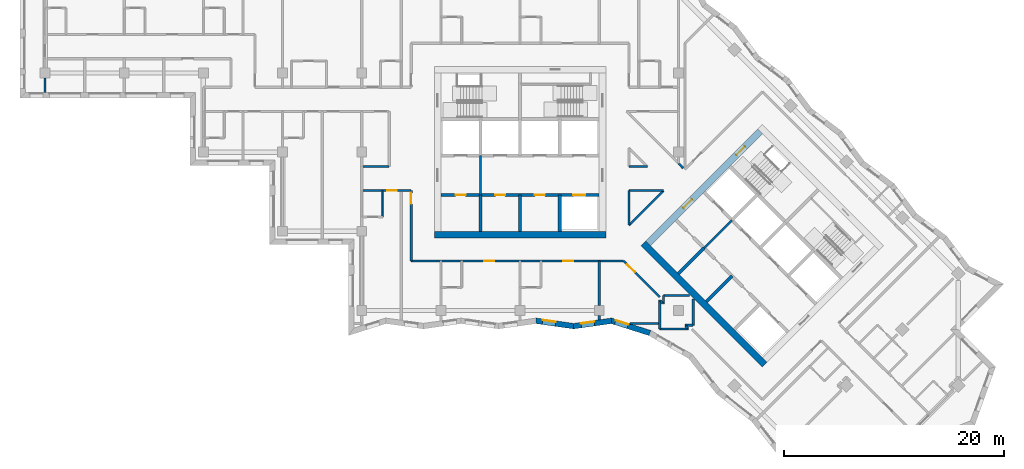
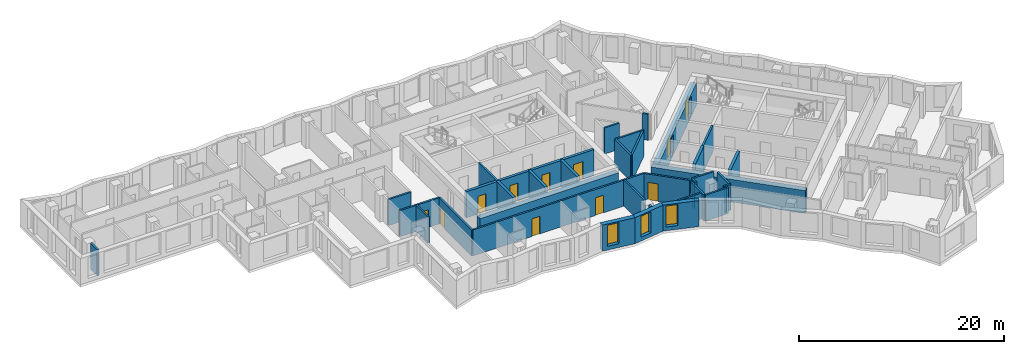
# One storey, part 3 of 12: 37 walls, 11 doors, 3 windows, 14 openings.
"""IFC4 building model written with IfcOpenShell, lengths in metres."""

from ifc_helpers import new_model, si_unit, direction, frame, frame_2d, origin, place, context, subcontext, project, spatial, polyline, rectangle, outline, extrude, material, layer, layer_set, type_object, element, fill, save


model = new_model("IFC4")

# Units and contexts
model_context = context("Model", 3, precision=1e-05, world=origin(), true_north=direction((0.0, 1.0)))
body_context = subcontext(model_context, "Body", "Model", "MODEL_VIEW")
ifc_project = project(units=[si_unit("LENGTHUNIT", "METRE"), si_unit("AREAUNIT", "SQUARE_METRE"), si_unit("VOLUMEUNIT", "CUBIC_METRE"), si_unit("PLANEANGLEUNIT", "RADIAN"), si_unit("MASSUNIT", "GRAM", prefix="KILO")], contexts=[model_context])

# Site, building, storey
site_placement = place(None, origin())
site = spatial("IfcSite", under=ifc_project, at=site_placement, CompositionType="ELEMENT")
building_placement = place(site_placement, origin())
building = spatial("IfcBuilding", under=site, at=building_placement, Name="Windrow Commons", CompositionType="ELEMENT")
storey_placement = place(building_placement, frame((0.0, 0.0, 155.8)))
storey = spatial("IfcBuildingStorey", under=building, at=storey_placement, Name="L42", CompositionType="ELEMENT", Elevation=155.8)

# Wall, opening, window
ifc_material_1 = material(Name="Brick masonry, red clay brick", Category="masonry")
ifc_layer_1 = layer(ifc_material_1, 0.5)
ifc_layer_set_1 = layer_set([ifc_layer_1], Name="Brick facade wall 500")
wall_type_1 = type_object("IfcWallType", Name="Brick facade wall 500", PredefinedType="SOLIDWALL", material=ifc_layer_set_1)
wall_1_placement = place(storey_placement, frame((66.2673, 42.2525, 0.0), z_axis=(0.0, 0.0, 1.0), x_axis=(0.9901773547, -0.1398170455, 0.0)))
wall_1 = element("IfcWall", 1, at=wall_1_placement, inside=storey, type_object=wall_type_1, Name="Brick facade wall L42 47", PredefinedType="SOLIDWALL", context=body_context, shape_type="SweptSolid", body=[
    extrude(outline(polyline([(0.0353, -0.25), (3.4826, -0.25), (3.412, 0.25), (-0.0353, 0.25), (0.0353, -0.25)])), origin(), (0.0, 0.0, 1.0), 3.1),
])
opening_1_placement = place(wall_1_placement, frame((0.5769, 0.0, 0.45)))
opening_1 = element("IfcOpeningElement", 2, at=opening_1_placement, cuts=wall_1, Name="Opening W7E", PredefinedType="OPENING", context=body_context, shape_type="SweptSolid", body=[
    extrude(rectangle(XDim=1.2, YDim=2.5, at=frame_2d((0.6, 1.25))), frame((0.0, 0.26, 0.0), z_axis=(0.0, -1.0, 0.0), x_axis=(1.0, 0.0, 0.0)), (0.0, 0.0, 1.0), 0.52),
])
ifc_material_2 = material(Name="Clear float glass in anodised aluminium frame", Category="aluminium")
window_type = type_object("IfcWindowType", Name="Window W7 notch 1200x2500", PartitioningType="SINGLE_PANEL", PredefinedType="WINDOW", material=ifc_material_2)
window_1_placement = place(opening_1_placement, origin())
window_1 = element("IfcWindow", 3, at=window_1_placement, inside=storey, type_object=window_type, Name="Window L42 47.1", OverallHeight=2.5, OverallWidth=1.2, PartitioningType="SINGLE_PANEL", PredefinedType="WINDOW", context=body_context, shape_type="SweptSolid", body=[
    extrude(rectangle(XDim=1.2, YDim=2.5, at=frame_2d((0.6, 1.25))), frame((0.0, 0.18, 0.0), z_axis=(0.0, -1.0, 0.0), x_axis=(1.0, 0.0, 0.0)), (0.0, 0.0, 1.0), 0.06),
])
fill(opening_1, window_1)

wall_2_placement = place(storey_placement, frame((69.6808, 41.7705, 0.0), z_axis=(0.0, 0.0, 1.0), x_axis=(0.9901776599, 0.1398148844, 0.0)))
wall_2 = element("IfcWall", 4, at=wall_2_placement, inside=storey, type_object=wall_type_1, Name="Brick facade wall L42 48", PredefinedType="SOLIDWALL", context=body_context, shape_type="SweptSolid", body=[
    extrude(outline(polyline([(-0.0353, -0.25), (3.412, -0.25), (3.5257, 0.25), (0.0353, 0.25), (-0.0353, -0.25)])), origin(), (0.0, 0.0, 1.0), 3.1),
])
opening_2_placement = place(wall_2_placement, frame((0.6888, 0.0, 0.45)))
opening_2 = element("IfcOpeningElement", 5, at=opening_2_placement, cuts=wall_2, Name="Opening W7E", PredefinedType="OPENING", context=body_context, shape_type="SweptSolid", body=[
    extrude(rectangle(XDim=1.2, YDim=2.5, at=frame_2d((0.6, 1.25))), frame((0.0, 0.26, 0.0), z_axis=(0.0, -1.0, 0.0), x_axis=(1.0, 0.0, 0.0)), (0.0, 0.0, 1.0), 0.52),
])
window_2_placement = place(opening_2_placement, origin())
window_2 = element("IfcWindow", 6, at=window_2_placement, inside=storey, type_object=window_type, Name="Window L42 48.1", OverallHeight=2.5, OverallWidth=1.2, PartitioningType="SINGLE_PANEL", PredefinedType="WINDOW", context=body_context, shape_type="SweptSolid", body=[
    extrude(rectangle(XDim=1.2, YDim=2.5, at=frame_2d((0.6, 1.25))), frame((0.0, 0.18, 0.0), z_axis=(0.0, -1.0, 0.0), x_axis=(1.0, 0.0, 0.0)), (0.0, 0.0, 1.0), 0.06),
])
fill(opening_2, window_2)

wall_3_placement = place(storey_placement, frame((73.1156, 42.2555, 0.0), z_axis=(0.0, 0.0, 1.0), x_axis=(0.9532588183, -0.3021549691, 0.0)))
wall_3 = element("IfcWall", 7, at=wall_3_placement, inside=storey, type_object=wall_type_1, Name="Brick facade wall L42 49", PredefinedType="SOLIDWALL", context=body_context, shape_type="SweptSolid", body=[
    extrude(outline(polyline([(0.0569, -0.25), (3.6377, -0.25), (3.6923, 0.25), (-0.0569, 0.25), (0.0569, -0.25)])), origin(), (0.0, 0.0, 1.0), 3.1),
])
opening_3_placement = place(wall_3_placement, frame((0.3531, 0.0, 0.45)))
opening_3 = element("IfcOpeningElement", 8, at=opening_3_placement, cuts=wall_3, Name="Opening W7E", PredefinedType="OPENING", context=body_context, shape_type="SweptSolid", body=[
    extrude(rectangle(XDim=1.2, YDim=2.5, at=frame_2d((0.6, 1.25))), frame((0.0, 0.26, 0.0), z_axis=(0.0, -1.0, 0.0), x_axis=(1.0, 0.0, 0.0)), (0.0, 0.0, 1.0), 0.52),
])
window_3_placement = place(opening_3_placement, origin())
window_3 = element("IfcWindow", 9, at=window_3_placement, inside=storey, type_object=window_type, Name="Window L42 49.1", OverallHeight=2.5, OverallWidth=1.2, PartitioningType="SINGLE_PANEL", PredefinedType="WINDOW", context=body_context, shape_type="SweptSolid", body=[
    extrude(rectangle(XDim=1.2, YDim=2.5, at=frame_2d((0.6, 1.25))), frame((0.0, 0.18, 0.0), z_axis=(0.0, -1.0, 0.0), x_axis=(1.0, 0.0, 0.0)), (0.0, 0.0, 1.0), 0.06),
])
fill(opening_3, window_3)

# Walls
ifc_material_3 = material(Name="Blockwork partition", Category="masonry")
ifc_layer_2 = layer(ifc_material_3, 0.2)
ifc_layer_set_2 = layer_set([ifc_layer_2], Name="Fire lobby partition 200")
wall_type_2 = type_object("IfcWallType", Name="Fire lobby partition 200", PredefinedType="PARTITIONING", material=ifc_layer_set_2)
for number, where, z_axis, x_axis, name in (
    (10, (61.2, 53.7, 0.0), (0.0, 0.0, 1.0), (0.0, 1.0, 0.0), "W-core-lobby-A-L42"),
    (11, (81.5335, 48.8776, 0.0), (0.0, 0.0, 1.0), (0.707092892, 0.7071206701, 0.0), "W-core-lobby-B-L42"),
):
    element("IfcWall", number, at=place(storey_placement, frame(where, z_axis=z_axis, x_axis=x_axis)), inside=storey, type_object=wall_type_2, Name=name, PredefinedType="PARTITIONING", context=body_context, shape_type="SweptSolid", body=[
        extrude(rectangle(XDim=3.6, YDim=0.2, at=frame_2d((1.8, 0.0))), origin(), (0.0, 0.0, 1.0), 3.1),
    ])

# Wall, openings, doors
ifc_material_4 = material(Name="Blockwork partition", Category="masonry")
ifc_layer_3 = layer(ifc_material_4, 0.2)
ifc_layer_set_3 = layer_set([ifc_layer_3], Name="IW-CORRIDOR-200")
wall_type_3 = type_object("IfcWallType", Name="IW-CORRIDOR-200", PredefinedType="PARTITIONING", material=ifc_layer_set_3)
wall_4_placement = place(storey_placement, frame((54.9, 47.7, 0.0), z_axis=(0.0, 0.0, 1.0), x_axis=(1.0, 0.0, 0.0)))
wall_4 = element("IfcWall", 12, at=wall_4_placement, inside=storey, type_object=wall_type_3, Name="W-L42-W001", PredefinedType="PARTITIONING", context=body_context, shape_type="SweptSolid", body=[
    extrude(rectangle(XDim=19.326, YDim=0.2, at=frame_2d((9.663, 0.0))), origin(), (0.0, 0.0, 1.0), 3.1),
])
opening_4_placement = place(wall_4_placement, frame((6.6434, 0.0, 0.0)))
opening_4 = element("IfcOpeningElement", 13, at=opening_4_placement, cuts=wall_4, Name="Opening D109F", PredefinedType="OPENING", context=body_context, shape_type="SweptSolid", body=[
    extrude(rectangle(XDim=0.9, YDim=2.1, at=frame_2d((0.45, 1.05))), frame((0.0, 0.11, 0.0), z_axis=(0.0, -1.0, 0.0), x_axis=(1.0, 0.0, 0.0)), (0.0, 0.0, 1.0), 0.22),
])
opening_5_placement = place(wall_4_placement, frame((13.8434, 0.0, 0.0)))
opening_5 = element("IfcOpeningElement", 14, at=opening_5_placement, cuts=wall_4, Name="Opening D109F", PredefinedType="OPENING", context=body_context, shape_type="SweptSolid", body=[
    extrude(rectangle(XDim=0.9, YDim=2.1, at=frame_2d((0.45, 1.05))), frame((0.0, 0.11, 0.0), z_axis=(0.0, -1.0, 0.0), x_axis=(1.0, 0.0, 0.0)), (0.0, 0.0, 1.0), 0.22),
])
ifc_material_5 = material(Name="Timber door leaf", Category="wood")
door_type_1 = type_object("IfcDoorType", Name="DT-BEDROOM-900", OperationType="SINGLE_SWING_LEFT", PredefinedType="DOOR", material=ifc_material_5)
door_1_placement = place(opening_4_placement, origin())
door_1 = element("IfcDoor", 15, at=door_1_placement, inside=storey, type_object=door_type_1, Name="D-L42-D031", OperationType="SINGLE_SWING_LEFT", OverallHeight=2.1, OverallWidth=0.9, PredefinedType="DOOR", context=body_context, shape_type="SweptSolid", body=[
    extrude(rectangle(XDim=0.9, YDim=2.1, at=frame_2d((0.45, 1.05))), frame((0.0, 0.025, 0.0), z_axis=(0.0, -1.0, 0.0), x_axis=(1.0, 0.0, 0.0)), (0.0, 0.0, 1.0), 0.05),
])
fill(opening_4, door_1)
door_2_placement = place(opening_5_placement, origin())
door_2 = element("IfcDoor", 16, at=door_2_placement, inside=storey, type_object=door_type_1, Name="D-L42-D033", OperationType="SINGLE_SWING_LEFT", OverallHeight=2.1, OverallWidth=0.9, PredefinedType="DOOR", context=body_context, shape_type="SweptSolid", body=[
    extrude(rectangle(XDim=0.9, YDim=2.1, at=frame_2d((0.45, 1.05))), frame((0.0, 0.025, 0.0), z_axis=(0.0, -1.0, 0.0), x_axis=(1.0, 0.0, 0.0)), (0.0, 0.0, 1.0), 0.05),
])
fill(opening_5, door_2)

# Wall, opening, door
wall_5_placement = place(storey_placement, frame((54.9, 47.7, 0.0), z_axis=(0.0, 0.0, 1.0), x_axis=(0.0, 1.0, 0.0)))
wall_5 = element("IfcWall", 17, at=wall_5_placement, inside=storey, type_object=wall_type_3, Name="W-L42-W020", PredefinedType="PARTITIONING", context=body_context, shape_type="SweptSolid", body=[
    extrude(rectangle(XDim=6.4, YDim=0.2, at=frame_2d((3.2, 0.0))), origin(), (0.0, 0.0, 1.0), 3.1),
])
opening_6_placement = place(wall_5_placement, frame((5.1985, 0.0, 0.0)))
opening_6 = element("IfcOpeningElement", 18, at=opening_6_placement, cuts=wall_5, Name="Opening D310F", PredefinedType="OPENING", context=body_context, shape_type="SweptSolid", body=[
    extrude(rectangle(XDim=1.0, YDim=2.1, at=frame_2d((0.5, 1.05))), frame((0.0, 0.11, 0.0), z_axis=(0.0, -1.0, 0.0), x_axis=(1.0, 0.0, 0.0)), (0.0, 0.0, 1.0), 0.22),
])
ifc_material_6 = material(Name="Timber door leaf", Category="wood")
door_type_2 = type_object("IfcDoorType", Name="DT-AMENITY-1000", OperationType="SINGLE_SWING_LEFT", PredefinedType="DOOR", material=ifc_material_6)
door_3_placement = place(opening_6_placement, origin())
door_3 = element("IfcDoor", 19, at=door_3_placement, inside=storey, type_object=door_type_2, Name="D-L42-D028", OperationType="SINGLE_SWING_RIGHT", OverallHeight=2.1, OverallWidth=1.0, PredefinedType="DOOR", context=body_context, shape_type="SweptSolid", body=[
    extrude(rectangle(XDim=1.0, YDim=2.1, at=frame_2d((0.5, 1.05))), frame((0.0, 0.025, 0.0), z_axis=(0.0, -1.0, 0.0), x_axis=(1.0, 0.0, 0.0)), (0.0, 0.0, 1.0), 0.05),
])
fill(opening_6, door_3)

wall_6_placement = place(storey_placement, frame((74.2227, 47.6967, 0.0), z_axis=(0.0, 0.0, 1.0), x_axis=(0.7071067812, -0.7071067812, 0.0)))
wall_6 = element("IfcWall", 20, at=wall_6_placement, inside=storey, type_object=wall_type_3, Name="W-L42-W034", PredefinedType="PARTITIONING", context=body_context, shape_type="SweptSolid", body=[
    extrude(rectangle(XDim=4.6301, YDim=0.2, at=frame_2d((2.315, 0.0))), origin(), (0.0, 0.0, 1.0), 3.1),
])
opening_7_placement = place(wall_6_placement, frame((0.4345, 0.0, 0.0)))
opening_7 = element("IfcOpeningElement", 21, at=opening_7_placement, cuts=wall_6, Name="Opening D310F", PredefinedType="OPENING", context=body_context, shape_type="SweptSolid", body=[
    extrude(rectangle(XDim=1.0, YDim=2.1, at=frame_2d((0.5, 1.05))), frame((0.0, 0.11, 0.0), z_axis=(0.0, -1.0, 0.0), x_axis=(1.0, 0.0, 0.0)), (0.0, 0.0, 1.0), 0.22),
])
door_4_placement = place(opening_7_placement, origin())
door_4 = element("IfcDoor", 22, at=door_4_placement, inside=storey, type_object=door_type_2, Name="D-L42-D035", OperationType="SINGLE_SWING_LEFT", OverallHeight=2.1, OverallWidth=1.0, PredefinedType="DOOR", context=body_context, shape_type="SweptSolid", body=[
    extrude(rectangle(XDim=1.0, YDim=2.1, at=frame_2d((0.5, 1.05))), frame((0.0, 0.025, 0.0), z_axis=(0.0, -1.0, 0.0), x_axis=(1.0, 0.0, 0.0)), (0.0, 0.0, 1.0), 0.05),
])
fill(opening_7, door_4)

wall_7_placement = place(storey_placement, frame((50.4, 54.1, 0.0), z_axis=(0.0, 0.0, 1.0), x_axis=(1.0, 0.0, 0.0)))
wall_7 = element("IfcWall", 23, at=wall_7_placement, inside=storey, type_object=wall_type_3, Name="W-L42-W036", PredefinedType="PARTITIONING", context=body_context, shape_type="SweptSolid", body=[
    extrude(rectangle(XDim=4.5, YDim=0.2, at=frame_2d((2.25, 0.0))), origin(), (0.0, 0.0, 1.0), 3.1),
])
opening_8_placement = place(wall_7_placement, frame((2.3, 0.0, 0.0)))
opening_8 = element("IfcOpeningElement", 24, at=opening_8_placement, cuts=wall_7, Name="Opening D109S", PredefinedType="OPENING", context=body_context, shape_type="SweptSolid", body=[
    extrude(rectangle(XDim=0.9, YDim=2.1, at=frame_2d((0.45, 1.05))), frame((0.0, 0.11, 0.0), z_axis=(0.0, -1.0, 0.0), x_axis=(1.0, 0.0, 0.0)), (0.0, 0.0, 1.0), 0.22),
])
door_5_placement = place(opening_8_placement, origin())
door_5 = element("IfcDoor", 25, at=door_5_placement, inside=storey, type_object=door_type_1, Name="D-L42-D026", OperationType="SINGLE_SWING_LEFT", OverallHeight=2.1, OverallWidth=0.9, PredefinedType="DOOR", context=body_context, shape_type="SweptSolid", body=[
    extrude(rectangle(XDim=0.9, YDim=2.1, at=frame_2d((0.45, 1.05))), frame((0.0, 0.025, 0.0), z_axis=(0.0, -1.0, 0.0), x_axis=(1.0, 0.0, 0.0)), (0.0, 0.0, 1.0), 0.05),
])
fill(opening_8, door_5)

# Walls
wall_8_placement = place(storey_placement, frame((74.7013, 50.9567, 0.0), z_axis=(0.0, 0.0, 1.0), x_axis=(0.7071067812, 0.7071067812, 0.0)))
element("IfcWall", 26, at=wall_8_placement, inside=storey, type_object=wall_type_3, Name="W-L42-W038", PredefinedType="PARTITIONING", context=body_context, shape_type="SweptSolid", body=[
    extrude(rectangle(XDim=4.4435, YDim=0.2, at=frame_2d((2.2218, 0.0))), origin(), (0.0, 0.0, 1.0), 3.1),
])
wall_9_placement = place(storey_placement, frame((74.7, 50.956, 0.0), z_axis=(0.0, 0.0, 1.0), x_axis=(0.0, 1.0, 0.0)))
element("IfcWall", 27, at=wall_9_placement, inside=storey, type_object=wall_type_3, Name="W-L42-W050", PredefinedType="PARTITIONING", context=body_context, shape_type="SweptSolid", body=[
    extrude(rectangle(XDim=3.144, YDim=0.2, at=frame_2d((1.572, 0.0))), origin(), (0.0, 0.0, 1.0), 3.1),
])
wall_10_placement = place(storey_placement, frame((74.702, 54.1, 0.0), z_axis=(0.0, 0.0, 1.0), x_axis=(1.0, 0.0, 0.0)))
element("IfcWall", 28, at=wall_10_placement, inside=storey, type_object=wall_type_3, Name="W-L42-W051", PredefinedType="PARTITIONING", context=body_context, shape_type="SweptSolid", body=[
    extrude(rectangle(XDim=3.142, YDim=0.2, at=frame_2d((1.571, 0.0))), origin(), (0.0, 0.0, 1.0), 3.1),
])
wall_11_placement = place(storey_placement, frame((50.4, 56.3, 0.0), z_axis=(0.0, 0.0, 1.0), x_axis=(1.0, 0.0, 0.0)))
element("IfcWall", 29, at=wall_11_placement, inside=storey, type_object=wall_type_3, Name="W-L42-W066", PredefinedType="PARTITIONING", context=body_context, shape_type="SweptSolid", body=[
    extrude(rectangle(XDim=2.5, YDim=0.2, at=frame_2d((1.25, 0.0))), origin(), (0.0, 0.0, 1.0), 3.1),
])
for number, where, z_axis, x_axis, name in (
    (30, (80.55, 41.852, 0.0), (0.0, 0.0, 1.0), (0.0, 1.0, 0.0), "W-L42-W102"),
    (31, (77.852, 44.55, 0.0), (0.0, 0.0, 1.0), (1.0, 0.0, 0.0), "W-L42-W103"),
):
    element("IfcWall", number, at=place(storey_placement, frame(where, z_axis=z_axis, x_axis=x_axis)), inside=storey, type_object=wall_type_3, Name=name, PredefinedType="PARTITIONING", context=body_context, shape_type="SweptSolid", body=[
        extrude(rectangle(XDim=2.38, YDim=0.2, at=frame_2d((1.19, 0.0))), origin(), (0.0, 0.0, 1.0), 3.1),
    ])
wall_12_placement = place(storey_placement, frame((74.702, 56.3, 0.0), z_axis=(0.0, 0.0, 1.0), x_axis=(1.0, 0.0, 0.0)))
element("IfcWall", 32, at=wall_12_placement, inside=storey, type_object=wall_type_3, Name="W-L42-W130", PredefinedType="PARTITIONING", context=body_context, shape_type="SweptSolid", body=[
    extrude(rectangle(XDim=1.67, YDim=0.2, at=frame_2d((0.835, 0.0))), origin(), (0.0, 0.0, 1.0), 3.1),
])
for number, where, z_axis, x_axis, name in (
    (33, (77.85, 43.792, 0.0), (0.0, 0.0, 1.0), (0.0, 1.0, 0.0), "W-L42-W152"),
    (34, (79.792, 41.85, 0.0), (0.0, 0.0, 1.0), (1.0, 0.0, 0.0), "W-L42-W153"),
):
    element("IfcWall", number, at=place(storey_placement, frame(where, z_axis=z_axis, x_axis=x_axis)), inside=storey, type_object=wall_type_3, Name=name, PredefinedType="PARTITIONING", context=body_context, shape_type="SweptSolid", body=[
        extrude(rectangle(XDim=0.758, YDim=0.2, at=frame_2d((0.379, 0.0))), origin(), (0.0, 0.0, 1.0), 3.1),
    ])
wall_13_placement = place(storey_placement, frame((79.1982, 56.5842, 0.0), z_axis=(0.0, 0.0, 1.0), x_axis=(0.7054410477, -0.7087685999, 0.0)))
element("IfcWall", 35, at=wall_13_placement, inside=storey, type_object=wall_type_3, Name="W-L42-W164", PredefinedType="PARTITIONING", context=body_context, shape_type="SweptSolid", body=[
    extrude(rectangle(XDim=0.601, YDim=0.2, at=frame_2d((0.3005, 0.0))), origin(), (0.0, 0.0, 1.0), 3.1),
])
for number, where, z_axis, x_axis, name in (
    (36, (79.8812, 41.7553, 0.0), (0.0, 0.0, 1.0), (0.7071067812, -0.7071067812, 0.0), "W-L42-W173"),
    (37, (77.5962, 44.0403, 0.0), (0.0, 0.0, 1.0), (0.7071067812, -0.7071067812, 0.0), "W-L42-W174"),
):
    element("IfcWall", number, at=place(storey_placement, frame(where, z_axis=z_axis, x_axis=x_axis)), inside=storey, type_object=wall_type_3, Name=name, PredefinedType="PARTITIONING", context=body_context, shape_type="SweptSolid", body=[
        extrude(rectangle(XDim=0.225, YDim=0.2, at=frame_2d((0.1125, 0.0))), origin(), (0.0, 0.0, 1.0), 3.1),
    ])
ifc_material_7 = material(Name="Blockwork partition", Category="masonry")
ifc_layer_4 = layer(ifc_material_7, 0.15)
ifc_layer_set_4 = layer_set([ifc_layer_4], Name="IW-ENSUITE-150")
wall_type_4 = type_object("IfcWallType", Name="IW-ENSUITE-150", PredefinedType="PARTITIONING", material=ifc_layer_set_4)
wall_14_placement = place(storey_placement, frame((52.3, 51.7, 0.0), z_axis=(0.0, 0.0, 1.0), x_axis=(0.0, 1.0, 0.0)))
element("IfcWall", 38, at=wall_14_placement, inside=storey, type_object=wall_type_4, Name="W-L42-W095", PredefinedType="PARTITIONING", context=body_context, shape_type="SweptSolid", body=[
    extrude(rectangle(XDim=2.4, YDim=0.15, at=frame_2d((1.2, 0.0))), origin(), (0.0, 0.0, 1.0), 3.1),
])
ifc_material_8 = material(Name="Blockwork partition", Category="masonry")
ifc_layer_5 = layer(ifc_material_8, 0.2)
ifc_layer_set_5 = layer_set([ifc_layer_5], Name="IW-PARTY-200")
wall_type_5 = type_object("IfcWallType", Name="IW-PARTY-200", PredefinedType="PARTITIONING", material=ifc_layer_set_5)
wall_15_placement = place(storey_placement, frame((72.0, 43.65, 0.0), z_axis=(0.0, 0.0, 1.0), x_axis=(0.0, 1.0, 0.0)))
element("IfcWall", 39, at=wall_15_placement, inside=storey, type_object=wall_type_5, Name="W-L42-W040", PredefinedType="PARTITIONING", context=body_context, shape_type="SweptSolid", body=[
    extrude(rectangle(XDim=4.05, YDim=0.2, at=frame_2d((2.025, 0.0))), origin(), (0.0, 0.0, 1.0), 3.1),
])
wall_16_placement = place(storey_placement, frame((74.799, 42.0, 0.0), z_axis=(0.0, 0.0, 1.0), x_axis=(1.0, 0.0, 0.0)))
element("IfcWall", 40, at=wall_16_placement, inside=storey, type_object=wall_type_5, Name="W-L42-W062", PredefinedType="PARTITIONING", context=body_context, shape_type="SweptSolid", body=[
    extrude(rectangle(XDim=2.701, YDim=0.2, at=frame_2d((1.3505, 0.0))), origin(), (0.0, 0.0, 1.0), 3.1),
])
for number, where, z_axis, x_axis, name in (
    (41, (77.5, 41.502, 0.0), (0.0, 0.0, 1.0), (0.0, 1.0, 0.0), "W-L42-W063"),
    (42, (77.502, 41.5, 0.0), (0.0, 0.0, 1.0), (1.0, 0.0, 0.0), "W-L42-W064"),
):
    element("IfcWall", number, at=place(storey_placement, frame(where, z_axis=z_axis, x_axis=x_axis)), inside=storey, type_object=wall_type_5, Name=name, PredefinedType="PARTITIONING", context=body_context, shape_type="SweptSolid", body=[
        extrude(rectangle(XDim=2.64, YDim=0.2, at=frame_2d((1.32, 0.0))), origin(), (0.0, 0.0, 1.0), 3.1),
    ])
wall_17_placement = place(storey_placement, frame((21.6, 63.018, 0.0), z_axis=(0.0, 0.0, 1.0), x_axis=(0.0, 1.0, 0.0)))
element("IfcWall", 43, at=wall_17_placement, inside=storey, type_object=wall_type_5, Name="W-L42-W136", PredefinedType="PARTITIONING", context=body_context, shape_type="SweptSolid", body=[
    extrude(rectangle(XDim=1.332, YDim=0.2, at=frame_2d((0.666, 0.0))), origin(), (0.0, 0.0, 1.0), 3.1),
])
wall_18_placement = place(storey_placement, frame((72.0, 42.3504, 0.0), z_axis=(0.0, 0.0, 1.0), x_axis=(0.0, 1.0, 0.0)))
element("IfcWall", 44, at=wall_18_placement, inside=storey, type_object=wall_type_5, Name="W-L42-W200", PredefinedType="PARTITIONING", context=body_context, shape_type="SweptSolid", body=[
    extrude(rectangle(XDim=0.3996, YDim=0.2, at=frame_2d((0.1998, 0.0))), origin(), (0.0, 0.0, 1.0), 3.1),
])
ifc_material_9 = material(Name="Concrete C50/60", Category="concrete")
ifc_layer_6 = layer(ifc_material_9, 0.6)
ifc_layer_set_6 = layer_set([ifc_layer_6], Name="RC CORE WALL 600 C50/60")
wall_type_6 = type_object("IfcWallType", Name="RC CORE WALL 600 C50/60", PredefinedType="SHEAR", material=ifc_layer_set_6)
for number, where, z_axis, x_axis, name in (
    (45, (57.0, 50.1, -0.3), (0.0, 0.0, 1.0), (1.0, 0.0, 0.0), "Core A wall outer-S"),
    (46, (76.018, 49.3019, -0.3), (0.0, 0.0, 1.0), (0.7071067812, -0.7071067812, 0.0), "Core B wall outer-S"),
):
    element("IfcWall", number, at=place(storey_placement, frame(where, z_axis=z_axis, x_axis=x_axis)), inside=storey, type_object=wall_type_6, Name=name, PredefinedType="SHEAR", context=body_context, shape_type="SweptSolid", body=[
        extrude(rectangle(XDim=15.6, YDim=0.6, at=frame_2d((7.8, 0.0))), origin(), (0.0, 0.0, 1.0), 2.7),
    ])

# Wall, openings, doors
wall_19_placement = place(storey_placement, frame((76.4423, 49.3019, -0.3), z_axis=(0.0, 0.0, 1.0), x_axis=(0.7071067812, 0.7071067812, 0.0)))
wall_19 = element("IfcWall", 47, at=wall_19_placement, inside=storey, type_object=wall_type_6, Name="Core B wall outer-W", PredefinedType="SHEAR", context=body_context, shape_type="SweptSolid", body=[
    extrude(rectangle(XDim=14.3999, YDim=0.6, at=frame_2d((7.2, 0.0))), origin(), (0.0, 0.0, 1.0), 2.7),
])
opening_9_placement = place(wall_19_placement, frame((4.55, 0.0, 0.3)))
opening_9 = element("IfcOpeningElement", 48, at=opening_9_placement, cuts=wall_19, Name="Opening D6", PredefinedType="OPENING", context=body_context, shape_type="SweptSolid", body=[
    extrude(rectangle(XDim=1.1, YDim=2.1, at=frame_2d((0.55, 1.05))), frame((0.0, 0.31, 0.0), z_axis=(0.0, -1.0, 0.0), x_axis=(1.0, 0.0, 0.0)), (0.0, 0.0, 1.0), 0.62),
])
opening_10_placement = place(wall_19_placement, frame((11.35, 0.0, 0.3)))
opening_10 = element("IfcOpeningElement", 49, at=opening_10_placement, cuts=wall_19, Name="Opening D7", PredefinedType="OPENING", context=body_context, shape_type="SweptSolid", body=[
    extrude(rectangle(XDim=1.1, YDim=2.1, at=frame_2d((0.55, 1.05))), frame((0.0, 0.31, 0.0), z_axis=(0.0, -1.0, 0.0), x_axis=(1.0, 0.0, 0.0)), (0.0, 0.0, 1.0), 0.62),
])
ifc_material_10 = material(Name="Steel fire door leaf", Category="steel")
door_type_3 = type_object("IfcDoorType", Name="Core lobby door 1100", OperationType="SINGLE_SWING_LEFT", PredefinedType="DOOR", material=ifc_material_10)
door_6_placement = place(opening_9_placement, origin())
door_6 = element("IfcDoor", 50, at=door_6_placement, inside=storey, type_object=door_type_3, Name="Lift lobby door", OperationType="DOUBLE_DOOR_SINGLE_SWING", OverallHeight=2.1, OverallWidth=1.1, PredefinedType="DOOR", context=body_context, shape_type="SweptSolid", body=[
    extrude(rectangle(XDim=1.1, YDim=2.1, at=frame_2d((0.55, 1.05))), frame((0.0, 0.025, 0.0), z_axis=(0.0, -1.0, 0.0), x_axis=(1.0, 0.0, 0.0)), (0.0, 0.0, 1.0), 0.05),
])
fill(opening_9, door_6)
ifc_material_11 = material(Name="Steel fire door leaf", Category="steel")
door_type_4 = type_object("IfcDoorType", Name="Stair door 1100", OperationType="SINGLE_SWING_LEFT", PredefinedType="DOOR", material=ifc_material_11)
door_7_placement = place(opening_10_placement, origin())
door_7 = element("IfcDoor", 51, at=door_7_placement, inside=storey, type_object=door_type_4, Name="Stair door", OperationType="SINGLE_SWING_LEFT", OverallHeight=2.1, OverallWidth=1.1, PredefinedType="DOOR", context=body_context, shape_type="SweptSolid", body=[
    extrude(rectangle(XDim=1.1, YDim=2.1, at=frame_2d((0.55, 1.05))), frame((0.0, 0.025, 0.0), z_axis=(0.0, -1.0, 0.0), x_axis=(1.0, 0.0, 0.0)), (0.0, 0.0, 1.0), 0.05),
])
fill(opening_10, door_7)

# Walls
ifc_material_12 = material(Name="Concrete C50/60", Category="concrete")
ifc_layer_7 = layer(ifc_material_12, 0.3)
ifc_layer_set_7 = layer_set([ifc_layer_7], Name="RC SHAFT WALL 300 C50/60")
wall_type_7 = type_object("IfcWallType", Name="RC SHAFT WALL 300 C50/60", PredefinedType="SOLIDWALL", material=ifc_layer_set_7)
for number, where, z_axis, x_axis, name in (
    (52, (61.2, 50.4, 0.0), (0.0, 0.0, 1.0), (0.0, 1.0, 0.0), "Core A wall shaft-S1"),
    (53, (64.8, 50.4, 0.0), (0.0, 0.0, 1.0), (0.0, 1.0, 0.0), "Core A wall shaft-S2"),
    (54, (68.4, 50.4, 0.0), (0.0, 0.0, 1.0), (0.0, 1.0, 0.0), "Core A wall shaft-S3"),
):
    element("IfcWall", number, at=place(storey_placement, frame(where, z_axis=z_axis, x_axis=x_axis)), inside=storey, type_object=wall_type_7, Name=name, PredefinedType="SOLIDWALL", context=body_context, shape_type="SweptSolid", body=[
        extrude(rectangle(XDim=3.3, YDim=0.3, at=frame_2d((1.65, 0.0))), origin(), (0.0, 0.0, 1.0), 3.1),
    ])

# Wall, openings, doors
wall_20_placement = place(storey_placement, frame((57.6, 53.7, 0.0), z_axis=(0.0, 0.0, 1.0), x_axis=(1.0, 0.0, 0.0)))
wall_20 = element("IfcWall", 55, at=wall_20_placement, inside=storey, type_object=wall_type_7, Name="Core A wall lobby-S", PredefinedType="SOLIDWALL", context=body_context, shape_type="SweptSolid", body=[
    extrude(rectangle(XDim=14.4, YDim=0.3, at=frame_2d((7.2, 0.0))), origin(), (0.0, 0.0, 1.0), 3.1),
])
opening_11_placement = place(wall_20_placement, frame((1.35, 0.0, 0.0)))
opening_11 = element("IfcOpeningElement", 56, at=opening_11_placement, cuts=wall_20, Name="Opening D8", PredefinedType="OPENING", context=body_context, shape_type="SweptSolid", body=[
    extrude(rectangle(XDim=0.9, YDim=2.1, at=frame_2d((0.45, 1.05))), frame((0.0, 0.16, 0.0), z_axis=(0.0, -1.0, 0.0), x_axis=(1.0, 0.0, 0.0)), (0.0, 0.0, 1.0), 0.32),
])
opening_12_placement = place(wall_20_placement, frame((4.95, 0.0, 0.0)))
opening_12 = element("IfcOpeningElement", 57, at=opening_12_placement, cuts=wall_20, Name="Opening D8", PredefinedType="OPENING", context=body_context, shape_type="SweptSolid", body=[
    extrude(rectangle(XDim=0.9, YDim=2.1, at=frame_2d((0.45, 1.05))), frame((0.0, 0.16, 0.0), z_axis=(0.0, -1.0, 0.0), x_axis=(1.0, 0.0, 0.0)), (0.0, 0.0, 1.0), 0.32),
])
opening_13_placement = place(wall_20_placement, frame((8.55, 0.0, 0.0)))
opening_13 = element("IfcOpeningElement", 58, at=opening_13_placement, cuts=wall_20, Name="Opening D8", PredefinedType="OPENING", context=body_context, shape_type="SweptSolid", body=[
    extrude(rectangle(XDim=0.9, YDim=2.1, at=frame_2d((0.45, 1.05))), frame((0.0, 0.16, 0.0), z_axis=(0.0, -1.0, 0.0), x_axis=(1.0, 0.0, 0.0)), (0.0, 0.0, 1.0), 0.32),
])
opening_14_placement = place(wall_20_placement, frame((12.05, 0.0, 0.0)))
opening_14 = element("IfcOpeningElement", 59, at=opening_14_placement, cuts=wall_20, Name="Opening LD", PredefinedType="OPENING", context=body_context, shape_type="SweptSolid", body=[
    extrude(rectangle(XDim=1.1, YDim=2.1, at=frame_2d((0.55, 1.05))), frame((0.0, 0.16, 0.0), z_axis=(0.0, -1.0, 0.0), x_axis=(1.0, 0.0, 0.0)), (0.0, 0.0, 1.0), 0.32),
])
ifc_material_13 = material(Name="Steel fire door leaf", Category="steel")
door_type_5 = type_object("IfcDoorType", Name="Core store door 900", OperationType="SINGLE_SWING_LEFT", PredefinedType="DOOR", material=ifc_material_13)
door_8_placement = place(opening_11_placement, origin())
door_8 = element("IfcDoor", 60, at=door_8_placement, inside=storey, type_object=door_type_5, Name="Store door", OperationType="SINGLE_SWING_LEFT", OverallHeight=2.1, OverallWidth=0.9, PredefinedType="DOOR", context=body_context, shape_type="SweptSolid", body=[
    extrude(rectangle(XDim=0.9, YDim=2.1, at=frame_2d((0.45, 1.05))), frame((0.0, 0.025, 0.0), z_axis=(0.0, -1.0, 0.0), x_axis=(1.0, 0.0, 0.0)), (0.0, 0.0, 1.0), 0.05),
])
fill(opening_11, door_8)
door_9_placement = place(opening_12_placement, origin())
door_9 = element("IfcDoor", 61, at=door_9_placement, inside=storey, type_object=door_type_5, Name="Store door", OperationType="SINGLE_SWING_LEFT", OverallHeight=2.1, OverallWidth=0.9, PredefinedType="DOOR", context=body_context, shape_type="SweptSolid", body=[
    extrude(rectangle(XDim=0.9, YDim=2.1, at=frame_2d((0.45, 1.05))), frame((0.0, 0.025, 0.0), z_axis=(0.0, -1.0, 0.0), x_axis=(1.0, 0.0, 0.0)), (0.0, 0.0, 1.0), 0.05),
])
fill(opening_12, door_9)
door_10_placement = place(opening_13_placement, origin())
door_10 = element("IfcDoor", 62, at=door_10_placement, inside=storey, type_object=door_type_5, Name="Store door", OperationType="SINGLE_SWING_LEFT", OverallHeight=2.1, OverallWidth=0.9, PredefinedType="DOOR", context=body_context, shape_type="SweptSolid", body=[
    extrude(rectangle(XDim=0.9, YDim=2.1, at=frame_2d((0.45, 1.05))), frame((0.0, 0.025, 0.0), z_axis=(0.0, -1.0, 0.0), x_axis=(1.0, 0.0, 0.0)), (0.0, 0.0, 1.0), 0.05),
])
fill(opening_13, door_10)
ifc_material_14 = material(Name="Stainless steel door leaf", Category="steel")
door_type_6 = type_object("IfcDoorType", Name="Lift landing door 1100", OperationType="SLIDING_TO_LEFT", PredefinedType="DOOR", material=ifc_material_14)
door_11_placement = place(opening_14_placement, origin())
door_11 = element("IfcDoor", 63, at=door_11_placement, inside=storey, type_object=door_type_6, Name="Lift landing door", OperationType="SLIDING_TO_RIGHT", OverallHeight=2.1, OverallWidth=1.1, PredefinedType="DOOR", context=body_context, shape_type="SweptSolid", body=[
    extrude(rectangle(XDim=1.1, YDim=2.1, at=frame_2d((0.55, 1.05))), frame((0.0, 0.025, 0.0), z_axis=(0.0, -1.0, 0.0), x_axis=(1.0, 0.0, 0.0)), (0.0, 0.0, 1.0), 0.05),
])
fill(opening_14, door_11)

# Walls
wall_21_placement = place(storey_placement, frame((79.2, 46.5442, 0.0), z_axis=(0.0, 0.0, 1.0), x_axis=(0.7071219326, 0.7070916295, 0.0)))
element("IfcWall", 64, at=wall_21_placement, inside=storey, type_object=wall_type_7, Name="Core B wall shaft-S1", PredefinedType="SOLIDWALL", context=body_context, shape_type="SweptSolid", body=[
    extrude(rectangle(XDim=3.3, YDim=0.3, at=frame_2d((1.65, 0.0))), origin(), (0.0, 0.0, 1.0), 3.1),
])
wall_22_placement = place(storey_placement, frame((81.7456, 43.9986, 0.0), z_axis=(0.0, 0.0, 1.0), x_axis=(0.7071067812, 0.7071067812, 0.0)))
element("IfcWall", 65, at=wall_22_placement, inside=storey, type_object=wall_type_7, Name="Core B wall shaft-S2", PredefinedType="SOLIDWALL", context=body_context, shape_type="SweptSolid", body=[
    extrude(rectangle(XDim=3.2999, YDim=0.3, at=frame_2d((1.65, 0.0))), origin(), (0.0, 0.0, 1.0), 3.1),
])

save(model, "model.ifc")
